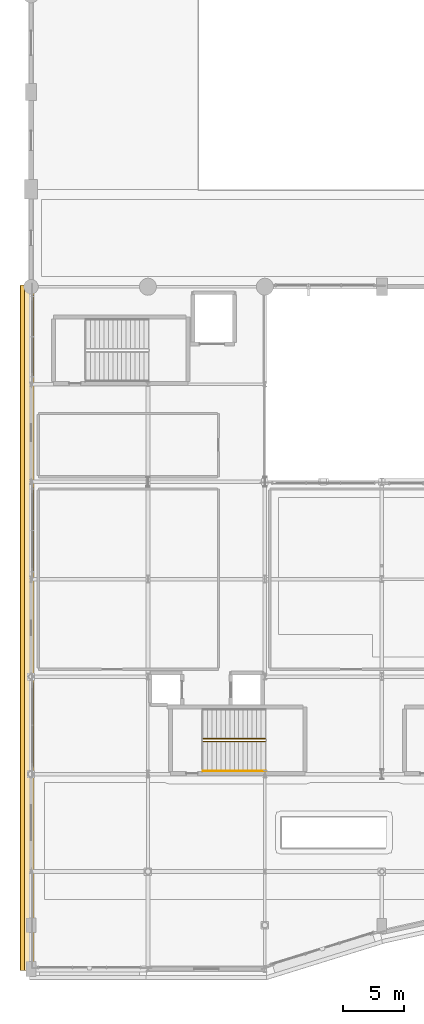
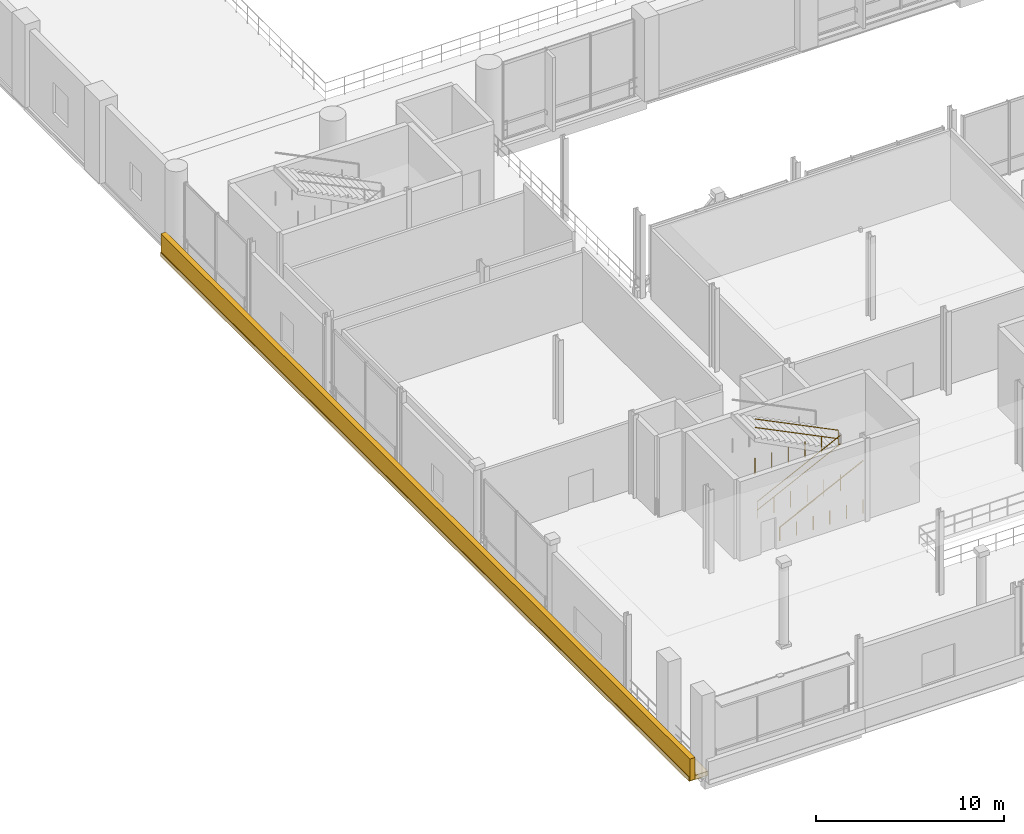
# One storey, part 103 of 129: 3 railings, 2 coverings.
"""IFC4 building model written with IfcOpenShell, lengths in metres."""

from ifc_helpers import new_model, si_unit, direction, frame, origin, origin_2d, place, context, subcontext, project, spatial, rectangle, circle, extrude, material, layer, layer_set, type_object, element, save


model = new_model("IFC4")

# Units and contexts
model_context = context("Model", 3, precision=1e-05, world=origin(), true_north=direction((0.0, 1.0)))
body_context = subcontext(model_context, "Body", "Model", "MODEL_VIEW")
ifc_project = project(units=[si_unit("LENGTHUNIT", "METRE"), si_unit("AREAUNIT", "SQUARE_METRE"), si_unit("VOLUMEUNIT", "CUBIC_METRE"), si_unit("PLANEANGLEUNIT", "RADIAN"), si_unit("MASSUNIT", "GRAM", prefix="KILO")], contexts=[model_context])

# Site, building, storey
site_placement = place(None, origin())
site = spatial("IfcSite", under=ifc_project, at=site_placement, CompositionType="ELEMENT")
building_placement = place(site_placement, origin())
building = spatial("IfcBuilding", under=site, at=building_placement, Name="Danafjord Basin Convention Centre", CompositionType="ELEMENT")
storey_placement = place(building_placement, frame((0.0, 0.0, 6.0)))
storey = spatial("IfcBuildingStorey", under=building, at=storey_placement, Name="L01", CompositionType="ELEMENT", Elevation=6.0)

# Coverings
ifc_material_1 = material(Name="Architectural white precast concrete C45/55", Category="concrete")
ifc_layer = layer(ifc_material_1, 0.320068359375)
ifc_layer_set = layer_set([ifc_layer], Name="Architectural white precast concrete C45/55")
covering_type = type_object("IfcCoveringType", Name="COV-BAND-HORIZ", PredefinedType="CLADDING", material=ifc_layer_set)
covering_1_placement = place(storey_placement, frame((-0.324951171875, 28.0, -0.27978515625), z_axis=(0.0, 0.0, 1.0), x_axis=(0.0, -1.0, 0.0)))
element("IfcCovering", 1, at=covering_1_placement, inside=storey, type_object=covering_type, Name="L01 stepped horizontal band soffit plate 12", PredefinedType="CLADDING", context=body_context, shape_type="SweptSolid", body=[
    extrude(rectangle(XDim=56.239990234375, YDim=1.14990234375, at=origin_2d()), origin(), (0.0, 0.0, 1.0), 0.280029296875),
])
covering_2_placement = place(storey_placement, frame((-0.7099609375, 28.0, -0.239990234375), z_axis=(0.0, 0.0, 1.0), x_axis=(0.0, -1.0, 0.0)))
element("IfcCovering", 2, at=covering_2_placement, inside=storey, type_object=covering_type, Name="L01 layered horizontal white spandrel band 12", PredefinedType="CLADDING", context=body_context, shape_type="SweptSolid", body=[
    extrude(rectangle(XDim=56.280029296875, YDim=0.320068359375, at=origin_2d()), origin(), (0.0, 0.0, 1.0), 1.419921875),
])

# Railings
ifc_material_2 = material(Name="Galvanised steel S355", Category="steel")
railing_type_1 = type_object("IfcRailingType", Name="RL-GD-WELL", PredefinedType="BALUSTRADE", material=ifc_material_2)
railing_1_placement = place(storey_placement, frame((14.1298828125, 18.659912109375, 0.179931640625)))
element("IfcRailing", 3, at=railing_1_placement, inside=storey, type_object=railing_type_1, Name="L01 ST-01 stair guard 1", PredefinedType="BALUSTRADE", context=body_context, shape_type="SweptSolid", body=[
    extrude(circle(Radius=0.02392578125, at=origin_2d()), frame((0.0, 0.0, 1.076171875), z_axis=(0.896873198966, 0.0, 0.442287762635), x_axis=(0.0, 1.0, 0.0)), (0.0, 0.0, 1.0), 5.69775390625),
    extrude(circle(Radius=0.02392578125, at=origin_2d()), frame((0.0, 0.0, 0.52587890625), z_axis=(0.896873198966, 0.0, 0.442287762635), x_axis=(0.0, 1.0, 0.0)), (0.0, 0.0, 1.0), 5.69775390625),
    extrude(circle(Radius=0.02099609375, at=origin_2d()), origin(), (0.0, 0.0, 1.0), 1.050048828125),
    extrude(circle(Radius=0.02099609375, at=origin_2d()), frame((1.02197265625, 0.0, 0.0)), (0.0, 0.0, 1.0), 1.050048828125),
    extrude(circle(Radius=0.02099609375, at=origin_2d()), frame((2.0439453125, 0.0, 0.0)), (0.0, 0.0, 1.0), 1.050048828125),
    extrude(circle(Radius=0.02099609375, at=origin_2d()), frame((3.066162109375, 0.0, 0.0)), (0.0, 0.0, 1.0), 1.050048828125),
    extrude(circle(Radius=0.02099609375, at=origin_2d()), frame((4.088134765625, 0.0, 0.0)), (0.0, 0.0, 1.0), 1.050048828125),
    extrude(circle(Radius=0.02099609375, at=origin_2d()), frame((5.110107421875, 0.0, 0.0)), (0.0, 0.0, 1.0), 1.050048828125),
])
railing_2_placement = place(storey_placement, frame((19.239990234375, 18.89990234375, 2.8798828125)))
element("IfcRailing", 4, at=railing_2_placement, inside=storey, type_object=railing_type_1, Name="L01 ST-01 stair guard 3", PredefinedType="BALUSTRADE", context=body_context, shape_type="SweptSolid", body=[
    extrude(circle(Radius=0.02392578125, at=origin_2d()), frame((0.0, 0.0, 1.076171875), z_axis=(-0.896873198966, 0.0, 0.442287762635), x_axis=(0.0, -1.0, 0.0)), (0.0, 0.0, 1.0), 5.69775390625),
    extrude(circle(Radius=0.02392578125, at=origin_2d()), frame((0.0, 0.0, 0.52587890625), z_axis=(-0.896873198966, 0.0, 0.442287762635), x_axis=(0.0, -1.0, 0.0)), (0.0, 0.0, 1.0), 5.69775390625),
    extrude(circle(Radius=0.02099609375, at=origin_2d()), origin(), (0.0, 0.0, 1.0), 1.050048828125),
    extrude(circle(Radius=0.02099609375, at=origin_2d()), frame((-1.02197265625, 0.0, 0.0)), (0.0, 0.0, 1.0), 1.050048828125),
    extrude(circle(Radius=0.02099609375, at=origin_2d()), frame((-2.0439453125, 0.0, 0.0)), (0.0, 0.0, 1.0), 1.050048828125),
    extrude(circle(Radius=0.02099609375, at=origin_2d()), frame((-3.066162109375, 0.0, 0.0)), (0.0, 0.0, 1.0), 1.050048828125),
    extrude(circle(Radius=0.02099609375, at=origin_2d()), frame((-4.088134765625, 0.0, 0.0)), (0.0, 0.0, 1.0), 1.050048828125),
    extrude(circle(Radius=0.02099609375, at=origin_2d()), frame((-5.110107421875, 0.0, 0.0)), (0.0, 0.0, 1.0), 1.050048828125),
])
ifc_material_3 = material(Name="Brushed stainless steel EN 1.4404", Category="steel")
railing_type_2 = type_object("IfcRailingType", Name="RL-HR-STAIR", PredefinedType="HANDRAIL", material=ifc_material_3)
railing_3_placement = place(storey_placement, frame((14.1298828125, 16.260009765625, 0.179931640625)))
element("IfcRailing", 5, at=railing_3_placement, inside=storey, type_object=railing_type_2, Name="L01 ST-01 stair handrail 1", PredefinedType="HANDRAIL", context=body_context, shape_type="SweptSolid", body=[
    extrude(circle(Radius=0.02392578125, at=origin_2d()), frame((0.0, 0.0, 0.8759765625), z_axis=(0.896873198966, 0.0, 0.442287762635), x_axis=(0.0, 1.0, 0.0)), (0.0, 0.0, 1.0), 5.69775390625),
    extrude(circle(Radius=0.02099609375, at=origin_2d()), origin(), (0.0, 0.0, 1.0), 0.849853515625),
    extrude(circle(Radius=0.02099609375, at=origin_2d()), frame((1.02197265625, 0.0, 0.0)), (0.0, 0.0, 1.0), 0.849853515625),
    extrude(circle(Radius=0.02099609375, at=origin_2d()), frame((2.0439453125, 0.0, 0.0)), (0.0, 0.0, 1.0), 0.849853515625),
    extrude(circle(Radius=0.02099609375, at=origin_2d()), frame((3.066162109375, 0.0, 0.0)), (0.0, 0.0, 1.0), 0.849853515625),
    extrude(circle(Radius=0.02099609375, at=origin_2d()), frame((4.088134765625, 0.0, 0.0)), (0.0, 0.0, 1.0), 0.849853515625),
    extrude(circle(Radius=0.02099609375, at=origin_2d()), frame((5.110107421875, 0.0, 0.0)), (0.0, 0.0, 1.0), 0.849853515625),
])

save(model, "model.ifc")
